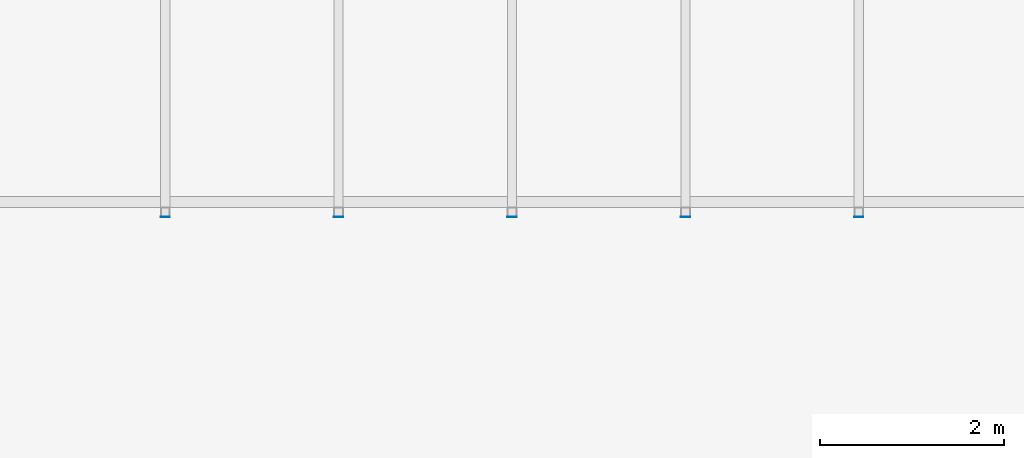
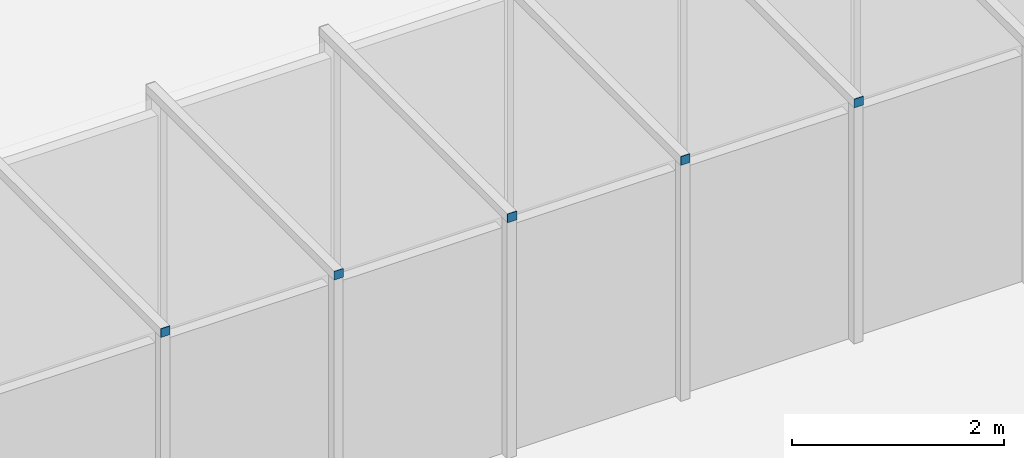
# One storey, part 39 of 85: 5 plates, 1 element without a shape of its own.
"""IFC4 building model written with IfcOpenShell, lengths in metres."""

from ifc_helpers import new_model, si_unit, direction, frame, origin, origin_2d, place, context, subcontext, project, spatial, rectangle, extrude, material, layer, layer_set, type_object, element, aggregate, save


model = new_model("IFC4")

# Units and contexts
model_context = context("Model", 3, precision=1e-05, world=origin(), true_north=direction((0.0, 1.0)))
body_context = subcontext(model_context, "Body", "Model", "MODEL_VIEW")
ifc_project = project(units=[si_unit("LENGTHUNIT", "METRE"), si_unit("AREAUNIT", "SQUARE_METRE"), si_unit("VOLUMEUNIT", "CUBIC_METRE"), si_unit("PLANEANGLEUNIT", "RADIAN"), si_unit("MASSUNIT", "GRAM", prefix="KILO")], contexts=[model_context])

# Site, building, storey
site_placement = place(None, origin())
site = spatial("IfcSite", under=ifc_project, at=site_placement, CompositionType="ELEMENT")
building_placement = place(site_placement, origin())
building = spatial("IfcBuilding", under=site, at=building_placement, Name="Volute Hill Aquarium", CompositionType="ELEMENT")
storey_placement = place(building_placement, origin())
storey = spatial("IfcBuildingStorey", under=building, at=storey_placement, Name="L01", CompositionType="ELEMENT", Elevation=0.0)

# Curtain wall, plates
ifc_material_1 = material(Name="Acrylic PMMA")
curtain_wall_type = type_object("IfcCurtainWallType", Name="Viewing tunnel acrylic assembly", PredefinedType="NOTDEFINED", material=ifc_material_1)
curtain_wall_placement = place(storey_placement, origin())
curtain_wall = element("IfcCurtainWall", 1, at=curtain_wall_placement, inside=storey, type_object=curtain_wall_type, Name="Viewing tunnel acrylic assembly", PredefinedType="NOTDEFINED")
ifc_material_2 = material(Name="Steel S355", Category="steel")
ifc_layer = layer(ifc_material_2, 0.006103515625)
ifc_layer_set = layer_set([ifc_layer], Name="Tunnel frame end plate 6 S355")
plate_type = type_object("IfcPlateType", Name="Tunnel frame end plate 6 S355", PredefinedType="SHEET", material=ifc_layer_set)
plate_1_placement = place(storey_placement, frame((-5.65869140625, -1.77294921875, 2.719970703125), z_axis=(0.0, 0.0, 1.0), x_axis=(1.0, 0.0, 0.0)))
plate_1 = element("IfcPlate", 2, at=plate_1_placement, type_object=plate_type, Name="Tunnel frame end plate 6A", PredefinedType="SHEET", context=body_context, shape_type="SweptSolid", body=[
    extrude(rectangle(XDim=0.10009765625, YDim=0.006103515625, at=origin_2d()), origin(), (0.0, 0.0, 1.0), 0.10009765625),
])
plate_2_placement = place(storey_placement, frame((-3.7724609375, -1.77294921875, 2.719970703125), z_axis=(0.0, 0.0, 1.0), x_axis=(1.0, 0.0, 0.0)))
plate_2 = element("IfcPlate", 3, at=plate_2_placement, type_object=plate_type, Name="Tunnel frame end plate 7A", PredefinedType="SHEET", context=body_context, shape_type="SweptSolid", body=[
    extrude(rectangle(XDim=0.10009765625, YDim=0.006103515625, at=origin_2d()), origin(), (0.0, 0.0, 1.0), 0.10009765625),
])
plate_3_placement = place(storey_placement, frame((-1.88623046875, -1.77294921875, 2.719970703125), z_axis=(0.0, 0.0, 1.0), x_axis=(1.0, 0.0, 0.0)))
plate_3 = element("IfcPlate", 4, at=plate_3_placement, type_object=plate_type, Name="Tunnel frame end plate 8A", PredefinedType="SHEET", context=body_context, shape_type="SweptSolid", body=[
    extrude(rectangle(XDim=0.10009765625, YDim=0.006103515625, at=origin_2d()), origin(), (0.0, 0.0, 1.0), 0.10009765625),
])
plate_4_placement = place(storey_placement, frame((0.0, -1.77294921875, 2.719970703125), z_axis=(0.0, 0.0, 1.0), x_axis=(1.0, 0.0, 0.0)))
plate_4 = element("IfcPlate", 5, at=plate_4_placement, type_object=plate_type, Name="Tunnel frame end plate 9A", PredefinedType="SHEET", context=body_context, shape_type="SweptSolid", body=[
    extrude(rectangle(XDim=0.10009765625, YDim=0.006103515625, at=origin_2d()), origin(), (0.0, 0.0, 1.0), 0.10009765625),
])
plate_5_placement = place(storey_placement, frame((1.88623046875, -1.77294921875, 2.719970703125), z_axis=(0.0, 0.0, 1.0), x_axis=(1.0, 0.0, 0.0)))
plate_5 = element("IfcPlate", 6, at=plate_5_placement, type_object=plate_type, Name="Tunnel frame end plate 10A", PredefinedType="SHEET", context=body_context, shape_type="SweptSolid", body=[
    extrude(rectangle(XDim=0.10009765625, YDim=0.006103515625, at=origin_2d()), origin(), (0.0, 0.0, 1.0), 0.10009765625),
])
aggregate(curtain_wall, [plate_1, plate_2, plate_3, plate_4, plate_5])

save(model, "model.ifc")
